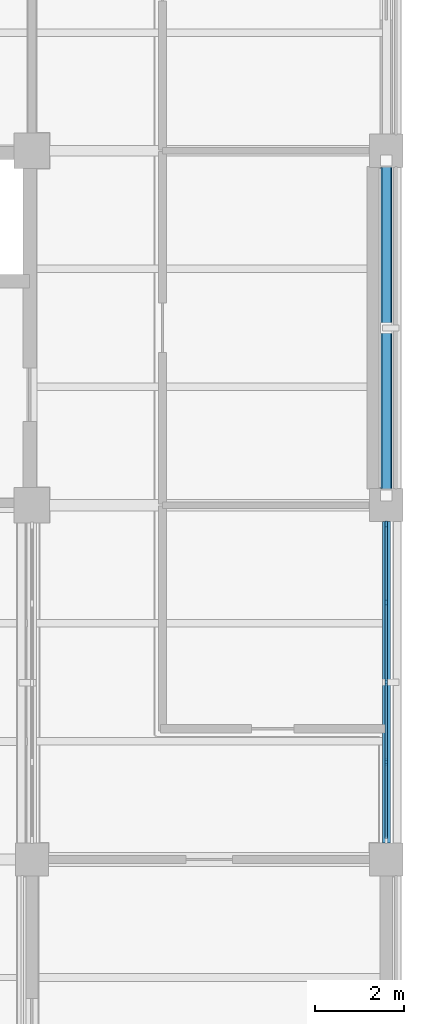
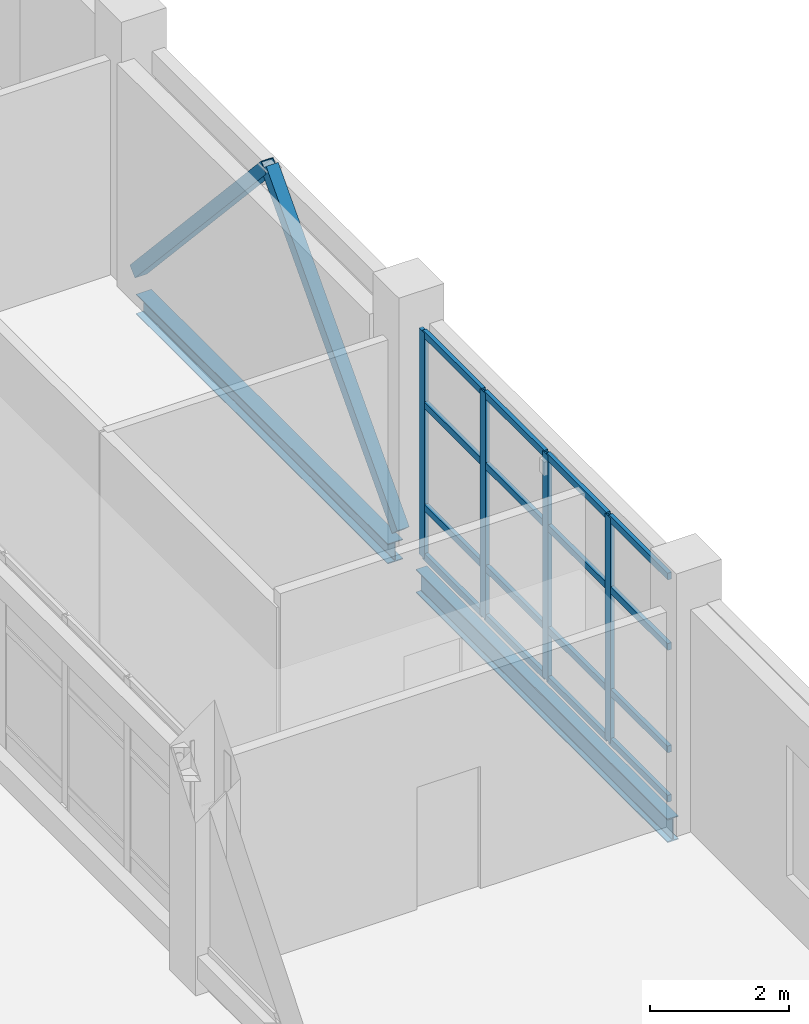
# One storey, part 55 of 121: 22 members, 2 beams, 1 element without a shape of its own.
"""IFC4 building model written with IfcOpenShell, lengths in metres."""

from ifc_helpers import new_model, si_unit, derived_unit, direction, frame, origin, origin_2d, place, context, subcontext, project, spatial, rectangle, hollow_rectangle, i_section, extrude, material, layer, layer_set, material_profile, profile_set, type_object, element, aggregate, save


model = new_model("IFC4")

# Units and contexts
model_context = context("Model", 3, precision=1e-05, world=origin(), true_north=direction((0.0, 1.0)))
body_context = subcontext(model_context, "Body", "Model", "MODEL_VIEW")
ifc_project = project(units=[si_unit("LENGTHUNIT", "METRE"), si_unit("AREAUNIT", "SQUARE_METRE"), si_unit("VOLUMEUNIT", "CUBIC_METRE"), si_unit("PLANEANGLEUNIT", "RADIAN"), si_unit("MASSUNIT", "GRAM", prefix="KILO"), derived_unit("THERMALTRANSMITTANCEUNIT", [(si_unit("MASSUNIT", "GRAM", prefix="KILO"), 1), (si_unit("TIMEUNIT", "SECOND"), -3), (si_unit("THERMODYNAMICTEMPERATUREUNIT", "KELVIN"), -1)])], contexts=[model_context])

# Site, building, storey
site_placement = place(None, origin())
site = spatial("IfcSite", under=ifc_project, at=site_placement, CompositionType="ELEMENT")
building_placement = place(site_placement, origin())
building = spatial("IfcBuilding", under=site, at=building_placement, Name="Veyamyaing Civic Hall", CompositionType="ELEMENT")
storey_placement = place(building_placement, frame((0.0, 0.0, 5.280029296875)))
storey = spatial("IfcBuildingStorey", under=building, at=storey_placement, Name="L01", CompositionType="ELEMENT", Elevation=5.280029296875)

# Beams
ifc_material_1 = material(Name="Steel ASTM A992", Category="steel")
ifc_material_profile_1 = material_profile(ifc_material_1, i_section(OverallWidth=0.180908203125, OverallDepth=0.4169921875, WebThickness=0.010986328125, FlangeThickness=0.018310546875, FilletRadius=0.010009765625, at=origin_2d()), Name="W410X85")
ifc_profile_set_1 = profile_set([ifc_material_profile_1], Name="Steel ASTM A992")
beam_type_1 = type_object("IfcBeamType", Name="B-19", PredefinedType="SPANDREL", material=ifc_profile_set_1)
beam_1_placement = place(storey_placement, frame((176.0, 80.375, -0.45361328125), z_axis=(0.0, 1.0, 0.0), x_axis=(-1.0, 0.0, 0.0)))
element("IfcBeam", 1, at=beam_1_placement, inside=storey, type_object=beam_type_1, Name="Girder B-19 L01 Grid 23 L-M", PredefinedType="SPANDREL", context=body_context, shape_type="SweptSolid", body=[
    extrude(i_section(OverallWidth=0.180908203125, OverallDepth=0.4169921875, WebThickness=0.010986328125, FlangeThickness=0.018310546875, FilletRadius=0.010009765625, at=origin_2d()), origin(), (0.0, 0.0, 1.0), 7.25),
])
ifc_material_profile_2 = material_profile(ifc_material_1, i_section(OverallWidth=0.25390625, OverallDepth=0.35302734375, WebThickness=0.009521484375, FlangeThickness=0.016357421875, FilletRadius=0.011962890625, at=origin_2d()), Name="W360X91")
ifc_profile_set_2 = profile_set([ifc_material_profile_2], Name="Steel ASTM A992")
beam_type_2 = type_object("IfcBeamType", Name="B-20", PredefinedType="SPANDREL", material=ifc_profile_set_2)
beam_2_placement = place(storey_placement, frame((176.0, 88.375, -0.421630859375), z_axis=(0.0, 1.0, 0.0), x_axis=(-1.0, 0.0, 0.0)))
element("IfcBeam", 2, at=beam_2_placement, inside=storey, type_object=beam_type_2, Name="Girder B-20 L01 Grid 23 M-N", PredefinedType="SPANDREL", context=body_context, shape_type="SweptSolid", body=[
    extrude(i_section(OverallWidth=0.25390625, OverallDepth=0.35302734375, WebThickness=0.009521484375, FlangeThickness=0.016357421875, FilletRadius=0.011962890625, at=origin_2d()), origin(), (0.0, 0.0, 1.0), 7.25),
])

# Members
ifc_material_2 = material(Name="Steel S355J2", Category="steel")
ifc_material_profile_3 = material_profile(ifc_material_2, hollow_rectangle(XDim=0.202880859375, YDim=0.202880859375, WallThickness=0.009521484375, at=origin_2d()), Name="HSS203X203X9.5")
ifc_profile_set_3 = profile_set([ifc_material_profile_3], Name="Steel S355J2")
member_type_1 = type_object("IfcMemberType", Name="BR-03", PredefinedType="BRACE", material=ifc_profile_set_3)
for number, where, z_axis, x_axis, name in (
    (3, (176.0, 88.219970703125, 0.050048828125), (0.0, 0.676062671571, 0.736844124702), (-1.0, 0.0, 0.0), "Seismic chevron brace BR-03 BF-NE L01.L"),
    (4, (176.0, 95.780029296875, 0.050048828125), (0.0, -0.676062671571, 0.736844124702), (1.0, 0.0, 0.0), "Seismic chevron brace BR-03 BF-NE L01.R"),
):
    element("IfcMember", number, at=place(storey_placement, frame(where, z_axis=z_axis, x_axis=x_axis)), inside=storey, type_object=member_type_1, Name=name, PredefinedType="BRACE", context=body_context, shape_type="SweptSolid", body=[
        extrude(hollow_rectangle(XDim=0.202880859375, YDim=0.202880859375, WallThickness=0.009521484375, at=origin_2d()), origin(), (0.0, 0.0, 1.0), 5.59130859375),
    ])

# Curtain wall, members
ifc_material_3 = material(Name="Anodised aluminium 6063-T6", Category="aluminium")
ifc_layer = layer(ifc_material_3, 0.159912109375, Name="Anodised aluminium 6063-T6")
ifc_layer_set = layer_set([ifc_layer], Name="Anodised aluminium 6063-T6")
curtain_wall_type = type_object("IfcCurtainWallType", Name="CW-02", PredefinedType="NOTDEFINED", material=ifc_layer_set)
curtain_wall_placement = place(storey_placement, origin())
curtain_wall = element("IfcCurtainWall", 5, at=curtain_wall_placement, inside=storey, type_object=curtain_wall_type, Name="Unitized curtain wall CW-02 L01 E 22.11", PredefinedType="NOTDEFINED")
ifc_material_profile_4 = material_profile(ifc_material_3, rectangle(XDim=0.06494140625, YDim=0.159912109375, at=origin_2d()), Name="ALU-MUL-65X160")
ifc_profile_set_4 = profile_set([ifc_material_profile_4], Name="Anodised aluminium 6063-T6")
member_type_2 = type_object("IfcMemberType", Name="CWM-01", PredefinedType="MULLION", material=ifc_profile_set_4)
member_1_placement = place(storey_placement, frame((176.0, 82.202392578125, 0.0), z_axis=(0.0, 0.0, 1.0), x_axis=(-1.0, 0.0, 0.0)))
member_1 = element("IfcMember", 6, at=member_1_placement, type_object=member_type_2, Name="CW-02 mullion 2", PredefinedType="MULLION", context=body_context, shape_type="SweptSolid", body=[
    extrude(rectangle(XDim=0.06494140625, YDim=0.159912109375, at=origin_2d()), origin(), (0.0, 0.0, 1.0), 3.973876953125),
])
member_2_placement = place(storey_placement, frame((176.0, 84.0, 0.0), z_axis=(0.0, 0.0, 1.0), x_axis=(-1.0, 0.0, 0.0)))
member_2 = element("IfcMember", 7, at=member_2_placement, type_object=member_type_2, Name="CW-02 mullion 3", PredefinedType="MULLION", context=body_context, shape_type="SweptSolid", body=[
    extrude(rectangle(XDim=0.06494140625, YDim=0.159912109375, at=origin_2d()), origin(), (0.0, 0.0, 1.0), 3.973876953125),
])
member_3_placement = place(storey_placement, frame((176.0, 85.797607421875, 0.0), z_axis=(0.0, 0.0, 1.0), x_axis=(-1.0, 0.0, 0.0)))
member_3 = element("IfcMember", 8, at=member_3_placement, type_object=member_type_2, Name="CW-02 mullion 4", PredefinedType="MULLION", context=body_context, shape_type="SweptSolid", body=[
    extrude(rectangle(XDim=0.06494140625, YDim=0.159912109375, at=origin_2d()), origin(), (0.0, 0.0, 1.0), 3.973876953125),
])
member_4_placement = place(storey_placement, frame((176.0, 87.5625, 0.0), z_axis=(0.0, 0.0, 1.0), x_axis=(-1.0, 0.0, 0.0)))
member_4 = element("IfcMember", 9, at=member_4_placement, type_object=member_type_2, Name="CW-02 mullion 5", PredefinedType="MULLION", context=body_context, shape_type="SweptSolid", body=[
    extrude(rectangle(XDim=0.06494140625, YDim=0.159912109375, at=origin_2d()), origin(), (0.0, 0.0, 1.0), 3.973876953125),
])
ifc_material_profile_5 = material_profile(ifc_material_3, rectangle(XDim=0.06494140625, YDim=0.1201171875, at=origin_2d()), Name="ALU-TRN-65X120")
ifc_profile_set_5 = profile_set([ifc_material_profile_5], Name="Anodised aluminium 6063-T6")
member_type_3 = type_object("IfcMemberType", Name="CWT-01", PredefinedType="USERDEFINED", material=ifc_profile_set_5)
member_5_placement = place(storey_placement, frame((176.0, 80.469970703125, 0.032470703125), z_axis=(0.0, 1.0, 0.0), x_axis=(-1.0, 0.0, 0.0)))
member_5 = element("IfcMember", 10, at=member_5_placement, type_object=member_type_3, Name="CW-02 transom 1.1", ObjectType="TRANSOM", PredefinedType="USERDEFINED", context=body_context, shape_type="SweptSolid", body=[
    extrude(rectangle(XDim=0.06494140625, YDim=0.1201171875, at=origin_2d()), origin(), (0.0, 0.0, 1.0), 1.699951171875),
])
member_6_placement = place(storey_placement, frame((176.0, 80.469970703125, 0.89990234375), z_axis=(0.0, 1.0, 0.0), x_axis=(-1.0, 0.0, 0.0)))
member_6 = element("IfcMember", 11, at=member_6_placement, type_object=member_type_3, Name="CW-02 transom 1.2", ObjectType="TRANSOM", PredefinedType="USERDEFINED", context=body_context, shape_type="SweptSolid", body=[
    extrude(rectangle(XDim=0.06494140625, YDim=0.1201171875, at=origin_2d()), origin(), (0.0, 0.0, 1.0), 1.699951171875),
])
member_7_placement = place(storey_placement, frame((176.0, 80.469970703125, 2.702392578125), z_axis=(0.0, 1.0, 0.0), x_axis=(-1.0, 0.0, 0.0)))
member_7 = element("IfcMember", 12, at=member_7_placement, type_object=member_type_3, Name="CW-02 transom 1.3", ObjectType="TRANSOM", PredefinedType="USERDEFINED", context=body_context, shape_type="SweptSolid", body=[
    extrude(rectangle(XDim=0.06494140625, YDim=0.1201171875, at=origin_2d()), origin(), (0.0, 0.0, 1.0), 1.699951171875),
])
member_8_placement = place(storey_placement, frame((176.0, 80.469970703125, 3.94140625), z_axis=(0.0, 1.0, 0.0), x_axis=(-1.0, 0.0, 0.0)))
member_8 = element("IfcMember", 13, at=member_8_placement, type_object=member_type_3, Name="CW-02 transom 1.4", ObjectType="TRANSOM", PredefinedType="USERDEFINED", context=body_context, shape_type="SweptSolid", body=[
    extrude(rectangle(XDim=0.06494140625, YDim=0.1201171875, at=origin_2d()), origin(), (0.0, 0.0, 1.0), 1.699951171875),
])
member_9_placement = place(storey_placement, frame((176.0, 82.235107421875, 0.032470703125), z_axis=(0.0, 1.0, 0.0), x_axis=(-1.0, 0.0, 0.0)))
member_9 = element("IfcMember", 14, at=member_9_placement, type_object=member_type_3, Name="CW-02 transom 2.1", ObjectType="TRANSOM", PredefinedType="USERDEFINED", context=body_context, shape_type="SweptSolid", body=[
    extrude(rectangle(XDim=0.06494140625, YDim=0.1201171875, at=origin_2d()), origin(), (0.0, 0.0, 1.0), 1.732421875),
])
member_10_placement = place(storey_placement, frame((176.0, 82.235107421875, 0.89990234375), z_axis=(0.0, 1.0, 0.0), x_axis=(-1.0, 0.0, 0.0)))
member_10 = element("IfcMember", 15, at=member_10_placement, type_object=member_type_3, Name="CW-02 transom 2.2", ObjectType="TRANSOM", PredefinedType="USERDEFINED", context=body_context, shape_type="SweptSolid", body=[
    extrude(rectangle(XDim=0.06494140625, YDim=0.1201171875, at=origin_2d()), origin(), (0.0, 0.0, 1.0), 1.732421875),
])
member_11_placement = place(storey_placement, frame((176.0, 82.235107421875, 2.702392578125), z_axis=(0.0, 1.0, 0.0), x_axis=(-1.0, 0.0, 0.0)))
member_11 = element("IfcMember", 16, at=member_11_placement, type_object=member_type_3, Name="CW-02 transom 2.3", ObjectType="TRANSOM", PredefinedType="USERDEFINED", context=body_context, shape_type="SweptSolid", body=[
    extrude(rectangle(XDim=0.06494140625, YDim=0.1201171875, at=origin_2d()), origin(), (0.0, 0.0, 1.0), 1.732421875),
])
member_12_placement = place(storey_placement, frame((176.0, 82.235107421875, 3.94140625), z_axis=(0.0, 1.0, 0.0), x_axis=(-1.0, 0.0, 0.0)))
member_12 = element("IfcMember", 17, at=member_12_placement, type_object=member_type_3, Name="CW-02 transom 2.4", ObjectType="TRANSOM", PredefinedType="USERDEFINED", context=body_context, shape_type="SweptSolid", body=[
    extrude(rectangle(XDim=0.06494140625, YDim=0.1201171875, at=origin_2d()), origin(), (0.0, 0.0, 1.0), 1.732421875),
])
member_13_placement = place(storey_placement, frame((176.0, 84.032470703125, 0.032470703125), z_axis=(0.0, 1.0, 0.0), x_axis=(-1.0, 0.0, 0.0)))
member_13 = element("IfcMember", 18, at=member_13_placement, type_object=member_type_3, Name="CW-02 transom 3.1", ObjectType="TRANSOM", PredefinedType="USERDEFINED", context=body_context, shape_type="SweptSolid", body=[
    extrude(rectangle(XDim=0.06494140625, YDim=0.1201171875, at=origin_2d()), origin(), (0.0, 0.0, 1.0), 1.732421875),
])
member_14_placement = place(storey_placement, frame((176.0, 84.032470703125, 0.89990234375), z_axis=(0.0, 1.0, 0.0), x_axis=(-1.0, 0.0, 0.0)))
member_14 = element("IfcMember", 19, at=member_14_placement, type_object=member_type_3, Name="CW-02 transom 3.2", ObjectType="TRANSOM", PredefinedType="USERDEFINED", context=body_context, shape_type="SweptSolid", body=[
    extrude(rectangle(XDim=0.06494140625, YDim=0.1201171875, at=origin_2d()), origin(), (0.0, 0.0, 1.0), 1.732421875),
])
member_15_placement = place(storey_placement, frame((176.0, 84.032470703125, 2.702392578125), z_axis=(0.0, 1.0, 0.0), x_axis=(-1.0, 0.0, 0.0)))
member_15 = element("IfcMember", 20, at=member_15_placement, type_object=member_type_3, Name="CW-02 transom 3.3", ObjectType="TRANSOM", PredefinedType="USERDEFINED", context=body_context, shape_type="SweptSolid", body=[
    extrude(rectangle(XDim=0.06494140625, YDim=0.1201171875, at=origin_2d()), origin(), (0.0, 0.0, 1.0), 1.732421875),
])
member_16_placement = place(storey_placement, frame((176.0, 84.032470703125, 3.94140625), z_axis=(0.0, 1.0, 0.0), x_axis=(-1.0, 0.0, 0.0)))
member_16 = element("IfcMember", 21, at=member_16_placement, type_object=member_type_3, Name="CW-02 transom 3.4", ObjectType="TRANSOM", PredefinedType="USERDEFINED", context=body_context, shape_type="SweptSolid", body=[
    extrude(rectangle(XDim=0.06494140625, YDim=0.1201171875, at=origin_2d()), origin(), (0.0, 0.0, 1.0), 1.732421875),
])
member_17_placement = place(storey_placement, frame((176.0, 85.830078125, 0.032470703125), z_axis=(0.0, 1.0, 0.0), x_axis=(-1.0, 0.0, 0.0)))
member_17 = element("IfcMember", 22, at=member_17_placement, type_object=member_type_3, Name="CW-02 transom 4.1", ObjectType="TRANSOM", PredefinedType="USERDEFINED", context=body_context, shape_type="SweptSolid", body=[
    extrude(rectangle(XDim=0.06494140625, YDim=0.1201171875, at=origin_2d()), origin(), (0.0, 0.0, 1.0), 1.699951171875),
])
member_18_placement = place(storey_placement, frame((176.0, 85.830078125, 0.89990234375), z_axis=(0.0, 1.0, 0.0), x_axis=(-1.0, 0.0, 0.0)))
member_18 = element("IfcMember", 23, at=member_18_placement, type_object=member_type_3, Name="CW-02 transom 4.2", ObjectType="TRANSOM", PredefinedType="USERDEFINED", context=body_context, shape_type="SweptSolid", body=[
    extrude(rectangle(XDim=0.06494140625, YDim=0.1201171875, at=origin_2d()), origin(), (0.0, 0.0, 1.0), 1.699951171875),
])
member_19_placement = place(storey_placement, frame((176.0, 85.830078125, 2.702392578125), z_axis=(0.0, 1.0, 0.0), x_axis=(-1.0, 0.0, 0.0)))
member_19 = element("IfcMember", 24, at=member_19_placement, type_object=member_type_3, Name="CW-02 transom 4.3", ObjectType="TRANSOM", PredefinedType="USERDEFINED", context=body_context, shape_type="SweptSolid", body=[
    extrude(rectangle(XDim=0.06494140625, YDim=0.1201171875, at=origin_2d()), origin(), (0.0, 0.0, 1.0), 1.699951171875),
])
member_20_placement = place(storey_placement, frame((176.0, 85.830078125, 3.94140625), z_axis=(0.0, 1.0, 0.0), x_axis=(-1.0, 0.0, 0.0)))
member_20 = element("IfcMember", 25, at=member_20_placement, type_object=member_type_3, Name="CW-02 transom 4.4", ObjectType="TRANSOM", PredefinedType="USERDEFINED", context=body_context, shape_type="SweptSolid", body=[
    extrude(rectangle(XDim=0.06494140625, YDim=0.1201171875, at=origin_2d()), origin(), (0.0, 0.0, 1.0), 1.699951171875),
])
aggregate(curtain_wall, [member_1, member_2, member_3, member_4, member_5, member_6, member_7, member_8, member_9, member_10, member_11, member_12, member_13, member_14, member_15, member_16, member_17, member_18, member_19, member_20])

save(model, "model.ifc")
